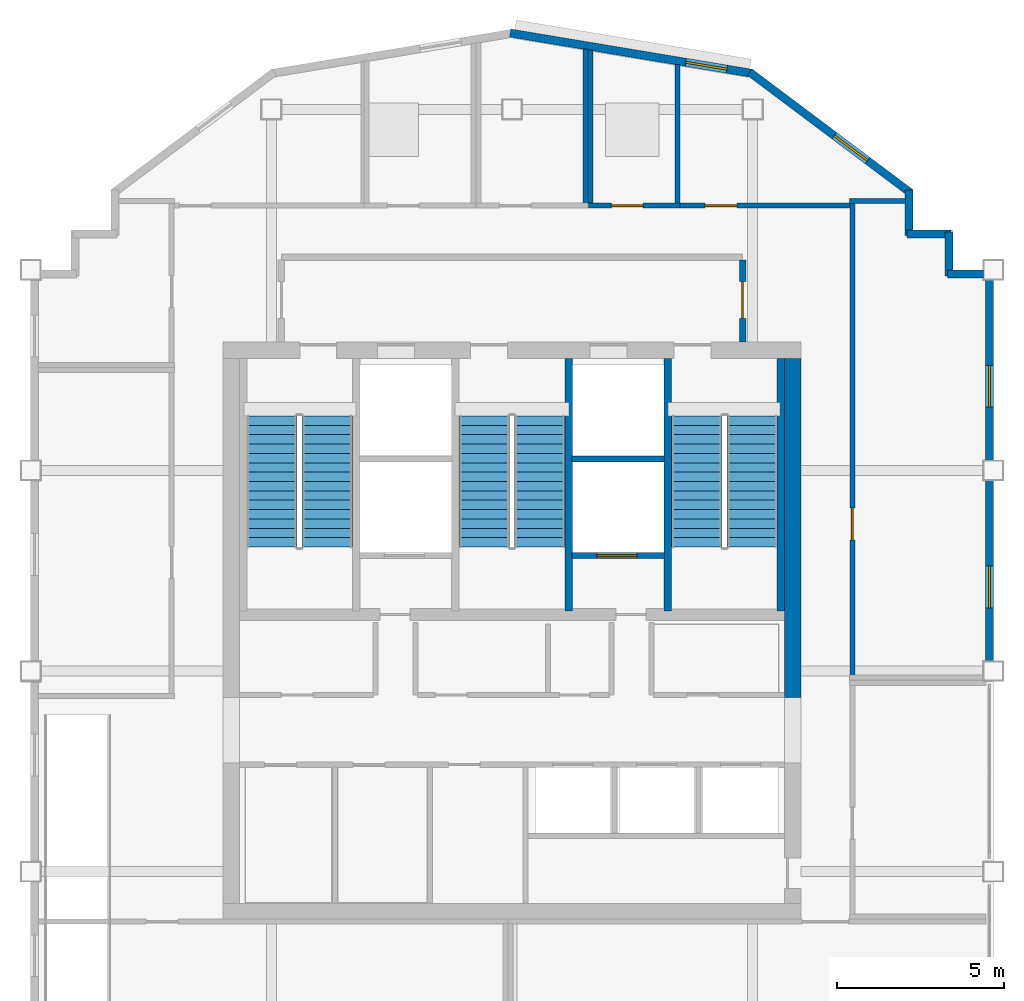
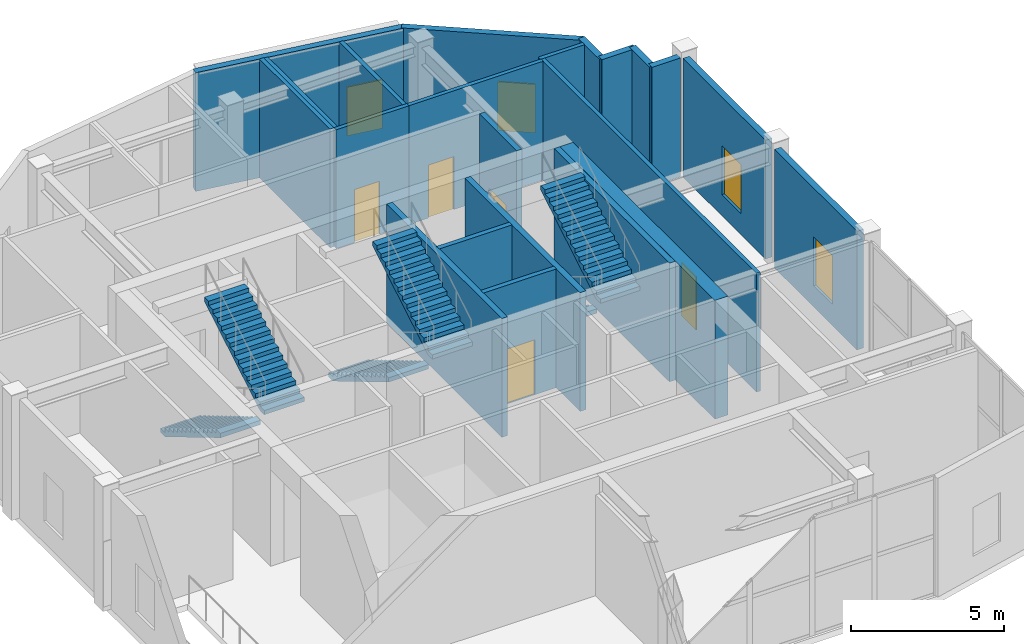
# One storey, part 9 of 11: 22 walls, 6 stair flights, 5 doors, 4 windows, 9 openings, 3 elements without a shape of their own.
"""IFC4 building model written with IfcOpenShell, lengths in metres."""

from ifc_helpers import new_model, si_unit, direction, frame, frame_2d, origin, place, context, subcontext, project, spatial, polyline, rectangle, outline, extrude, material, layer, layer_set, type_object, element, fill, aggregate, save


model = new_model("IFC4")

# Units and contexts
model_context = context("Model", 3, precision=1e-05, world=origin(), true_north=direction((0.0, 1.0)))
body_context = subcontext(model_context, "Body", "Model", "MODEL_VIEW")
ifc_project = project(units=[si_unit("LENGTHUNIT", "METRE"), si_unit("AREAUNIT", "SQUARE_METRE"), si_unit("VOLUMEUNIT", "CUBIC_METRE"), si_unit("PLANEANGLEUNIT", "RADIAN"), si_unit("MASSUNIT", "GRAM", prefix="KILO")], contexts=[model_context])

# Site, building, storey
site_placement = place(None, origin())
site = spatial("IfcSite", under=ifc_project, at=site_placement, CompositionType="ELEMENT")
building_placement = place(site_placement, origin())
building = spatial("IfcBuilding", under=site, at=building_placement, Name="Haolan Belvedere Tower", CompositionType="ELEMENT")
storey_placement = place(building_placement, frame((0.0, 0.0, 323.199951171875)))
storey = spatial("IfcBuildingStorey", under=building, at=storey_placement, Name="L81", CompositionType="ELEMENT", Elevation=323.199951171875)

# Wall
ifc_material_1 = material(Name="Concrete C50/60", Category="concrete")
ifc_layer_1 = layer(ifc_material_1, 0.5, Name="Concrete C50/60")
ifc_layer_set_1 = layer_set([ifc_layer_1], Name="Concrete C50/60")
wall_type_1 = type_object("IfcWallType", Name="WL-CORE-500", PredefinedType="SHEAR", material=ifc_layer_set_1)
wall_1_placement = place(storey_placement, frame((46.800048828125, 32.800048828125, 0.0), z_axis=(0.0, 0.0, 1.0), x_axis=(0.0, 1.0, 0.0)))
element("IfcWall", 1, at=wall_1_placement, inside=storey, type_object=wall_type_1, Name="L81 central core shear wall EN", PredefinedType="SHEAR", context=body_context, shape_type="SweptSolid", body=[
    extrude(rectangle(XDim=10.14990234375, YDim=0.5, at=frame_2d((5.074951171875, 0.0))), origin(), (0.0, 0.0, 1.0), 4.75),
])

# Wall, opening, window
ifc_material_2 = material(Name="Precast concrete C40/50", Category="concrete")
ifc_layer_2 = layer(ifc_material_2, 0.239990234375, Name="Precast concrete C40/50")
ifc_layer_set_2 = layer_set([ifc_layer_2], Name="Precast concrete C40/50")
wall_type_2 = type_object("IfcWallType", Name="WL-EXT-240", PredefinedType="SOLIDWALL", material=ifc_layer_set_2)
wall_2_placement = place(storey_placement, frame((52.679931640625, 33.89208984375, 0.0), z_axis=(0.0, 0.0, 1.0), x_axis=(0.0, 1.0, 0.0)))
wall_2 = element("IfcWall", 2, at=wall_2_placement, inside=storey, type_object=wall_type_2, Name="L81 pale-metal exterior spandrel wall 3.3", PredefinedType="SOLIDWALL", context=body_context, shape_type="SweptSolid", body=[
    extrude(rectangle(XDim=5.416015625, YDim=0.239990234375, at=frame_2d((2.7080078125, 0.0))), origin(), (0.0, 0.0, 1.0), 4.75),
])
opening_1_placement = place(wall_2_placement, frame((1.60009765625, 0.0, 0.85009765625)))
opening_1 = element("IfcOpeningElement", 3, at=opening_1_placement, cuts=wall_2, Name="Opening W-04", PredefinedType="OPENING", context=body_context, shape_type="SweptSolid", body=[
    extrude(rectangle(XDim=1.25, YDim=1.949951171875, at=frame_2d((0.625, 0.97509765625))), frame((0.0, 0.1298828125, 0.0), z_axis=(0.0, -1.0, 0.0), x_axis=(1.0, 0.0, 0.0)), (0.0, 0.0, 1.0), 0.260009765625),
])
ifc_material_3 = material(Name="Anodised aluminium 6063-T6 and Low-E glass", Category="aluminium")
window_type = type_object("IfcWindowType", Name="WN-DECO-Z4", PartitioningType="SINGLE_PANEL", PredefinedType="WINDOW", material=ifc_material_3)
window_1_placement = place(opening_1_placement, origin())
window_1 = element("IfcWindow", 4, at=window_1_placement, inside=storey, type_object=window_type, Name="L81 Art Deco chevron window 1", OverallHeight=1.949951171875, OverallWidth=1.25, PartitioningType="SINGLE_PANEL", PredefinedType="WINDOW", context=body_context, shape_type="SweptSolid", body=[
    extrude(rectangle(XDim=1.25, YDim=1.949951171875, at=frame_2d((0.625, 0.97509765625))), frame((0.0, 0.030029296875, 0.0), z_axis=(0.0, -1.0, 0.0), x_axis=(1.0, 0.0, 0.0)), (0.0, 0.0, 1.0), 0.06005859375),
])
fill(opening_1, window_1)

wall_3_placement = place(storey_placement, frame((52.679931640625, 39.89208984375, 0.0), z_axis=(0.0, 0.0, 1.0), x_axis=(0.0, 1.0, 0.0)))
wall_3 = element("IfcWall", 5, at=wall_3_placement, inside=storey, type_object=wall_type_2, Name="L81 pale-metal exterior spandrel wall 3.4", PredefinedType="SOLIDWALL", context=body_context, shape_type="SweptSolid", body=[
    extrude(rectangle(XDim=5.416015625, YDim=0.239990234375, at=frame_2d((2.7080078125, 0.0))), origin(), (0.0, 0.0, 1.0), 4.75),
])
opening_2_placement = place(wall_3_placement, frame((1.60009765625, 0.0, 0.85009765625)))
opening_2 = element("IfcOpeningElement", 6, at=opening_2_placement, cuts=wall_3, Name="Opening W-04", PredefinedType="OPENING", context=body_context, shape_type="SweptSolid", body=[
    extrude(rectangle(XDim=1.25, YDim=1.949951171875, at=frame_2d((0.625, 0.97509765625))), frame((0.0, 0.1298828125, 0.0), z_axis=(0.0, -1.0, 0.0), x_axis=(1.0, 0.0, 0.0)), (0.0, 0.0, 1.0), 0.260009765625),
])
window_2_placement = place(opening_2_placement, origin())
window_2 = element("IfcWindow", 7, at=window_2_placement, inside=storey, type_object=window_type, Name="L81 Art Deco chevron window 1", OverallHeight=1.949951171875, OverallWidth=1.25, PartitioningType="SINGLE_PANEL", PredefinedType="WINDOW", context=body_context, shape_type="SweptSolid", body=[
    extrude(rectangle(XDim=1.25, YDim=1.949951171875, at=frame_2d((0.625, 0.97509765625))), frame((0.0, 0.030029296875, 0.0), z_axis=(0.0, -1.0, 0.0), x_axis=(1.0, 0.0, 0.0)), (0.0, 0.0, 1.0), 0.06005859375),
])
fill(opening_2, window_2)

# Walls
wall_4_placement = place(storey_placement, frame((52.508056640625, 45.47998046875, 0.0), z_axis=(0.0, 0.0, 1.0), x_axis=(-1.0, 0.0, 0.0)))
element("IfcWall", 8, at=wall_4_placement, inside=storey, type_object=wall_type_2, Name="L81 pale-metal exterior spandrel wall 4.1", PredefinedType="SOLIDWALL", context=body_context, shape_type="SweptSolid", body=[
    extrude(rectangle(XDim=1.0830078125, YDim=0.239990234375, at=frame_2d((0.54150390625, 0.0))), origin(), (0.0, 0.0, 1.0), 4.75),
])
wall_5_placement = place(storey_placement, frame((51.47998046875, 45.425048828125, 0.0), z_axis=(0.0, 0.0, 1.0), x_axis=(0.0, 1.0, 0.0)))
element("IfcWall", 9, at=wall_5_placement, inside=storey, type_object=wall_type_2, Name="L81 pale-metal exterior spandrel wall 5.1", PredefinedType="SOLIDWALL", context=body_context, shape_type="SweptSolid", body=[
    extrude(rectangle(XDim=1.31005859375, YDim=0.239990234375, at=frame_2d((0.655029296875, 0.0))), origin(), (0.0, 0.0, 1.0), 4.75),
])
wall_6_placement = place(storey_placement, frame((51.534912109375, 46.679931640625, 0.0), z_axis=(0.0, 0.0, 1.0), x_axis=(-1.0, 0.0, 0.0)))
element("IfcWall", 10, at=wall_6_placement, inside=storey, type_object=wall_type_2, Name="L81 pale-metal exterior spandrel wall 6.1", PredefinedType="SOLIDWALL", context=body_context, shape_type="SweptSolid", body=[
    extrude(rectangle(XDim=1.309814453125, YDim=0.239990234375, at=frame_2d((0.65478515625, 0.0))), origin(), (0.0, 0.0, 1.0), 4.75),
])
wall_7_placement = place(storey_placement, frame((50.280029296875, 46.625, 0.0), z_axis=(0.0, 0.0, 1.0), x_axis=(0.0, 1.0, 0.0)))
element("IfcWall", 11, at=wall_7_placement, inside=storey, type_object=wall_type_2, Name="L81 pale-metal exterior spandrel wall 7.1", PredefinedType="SOLIDWALL", context=body_context, shape_type="SweptSolid", body=[
    extrude(rectangle(XDim=1.3701171875, YDim=0.239990234375, at=frame_2d((0.68505859375, 0.0))), origin(), (0.0, 0.0, 1.0), 4.75),
])

# Wall, opening, window
wall_8_placement = place(storey_placement, frame((50.323974609375, 47.906982421875, 0.0), z_axis=(0.0, 0.0, 1.0), x_axis=(-0.80001459783, 0.599980535734, 0.0)))
wall_8 = element("IfcWall", 12, at=wall_8_placement, inside=storey, type_object=wall_type_2, Name="L81 pale-metal exterior spandrel wall 8.1", PredefinedType="SOLIDWALL", context=body_context, shape_type="SweptSolid", body=[
    extrude(rectangle(XDim=6.020751953125, YDim=0.239990234375, at=frame_2d((3.01025390625, 0.0))), origin(), (0.0, 0.0, 1.0), 4.75),
])
opening_3_placement = place(wall_8_placement, frame((1.60009765625, 0.0, 0.85009765625)))
opening_3 = element("IfcOpeningElement", 13, at=opening_3_placement, cuts=wall_8, Name="Opening W-04", PredefinedType="OPENING", context=body_context, shape_type="SweptSolid", body=[
    extrude(rectangle(XDim=1.25, YDim=1.949951171875, at=frame_2d((0.625, 0.97509765625))), frame((0.0, 0.1298828125, 0.0), z_axis=(0.0, -1.0, 0.0), x_axis=(1.0, 0.0, 0.0)), (0.0, 0.0, 1.0), 0.260009765625),
])
window_3_placement = place(opening_3_placement, origin())
window_3 = element("IfcWindow", 14, at=window_3_placement, inside=storey, type_object=window_type, Name="L81 Art Deco chevron window 1", OverallHeight=1.949951171875, OverallWidth=1.25, PartitioningType="SINGLE_PANEL", PredefinedType="WINDOW", context=body_context, shape_type="SweptSolid", body=[
    extrude(rectangle(XDim=1.25, YDim=1.949951171875, at=frame_2d((0.625, 0.97509765625))), frame((0.0, 0.030029296875, 0.0), z_axis=(0.0, -1.0, 0.0), x_axis=(1.0, 0.0, 0.0)), (0.0, 0.0, 1.0), 0.06005859375),
])
fill(opening_3, window_3)

wall_9_placement = place(storey_placement, frame((45.605712890625, 51.477294921875, 0.0), z_axis=(0.0, 0.0, 1.0), x_axis=(-0.986394820321, 0.164393608283, 0.0)))
wall_9 = element("IfcWall", 15, at=wall_9_placement, inside=storey, type_object=wall_type_2, Name="L81 pale-metal exterior spandrel wall 9.1", PredefinedType="SOLIDWALL", context=body_context, shape_type="SweptSolid", body=[
    extrude(rectangle(XDim=7.360107421875, YDim=0.239990234375, at=frame_2d((3.68017578125, 0.0))), origin(), (0.0, 0.0, 1.0), 4.75),
])
opening_4_placement = place(wall_9_placement, frame((0.7841796875, 0.0, 0.85009765625)))
opening_4 = element("IfcOpeningElement", 16, at=opening_4_placement, cuts=wall_9, Name="Opening W-04", PredefinedType="OPENING", context=body_context, shape_type="SweptSolid", body=[
    extrude(rectangle(XDim=1.25, YDim=1.949951171875, at=frame_2d((0.625, 0.97509765625))), frame((0.0, 0.1298828125, 0.0), z_axis=(0.0, -1.0, 0.0), x_axis=(1.0, 0.0, 0.0)), (0.0, 0.0, 1.0), 0.260009765625),
])
window_4_placement = place(opening_4_placement, origin())
window_4 = element("IfcWindow", 17, at=window_4_placement, inside=storey, type_object=window_type, Name="L81 Art Deco chevron window 1", OverallHeight=1.949951171875, OverallWidth=1.25, PartitioningType="SINGLE_PANEL", PredefinedType="WINDOW", context=body_context, shape_type="SweptSolid", body=[
    extrude(rectangle(XDim=1.25, YDim=1.949951171875, at=frame_2d((0.625, 0.97509765625))), frame((0.0, 0.030029296875, 0.0), z_axis=(0.0, -1.0, 0.0), x_axis=(1.0, 0.0, 0.0)), (0.0, 0.0, 1.0), 0.06005859375),
])
fill(opening_4, window_4)

# Wall, opening, door
ifc_material_4 = material(Name="Concrete C40/50", Category="concrete")
ifc_layer_3 = layer(ifc_material_4, 0.199951171875, Name="Concrete C40/50")
ifc_layer_set_3 = layer_set([ifc_layer_3], Name="Concrete C40/50")
wall_type_3 = type_object("IfcWallType", Name="WL-FIRE-200", PredefinedType="SOLIDWALL", material=ifc_layer_set_3)
wall_10_placement = place(storey_placement, frame((45.300048828125, 43.449951171875, 0.0), z_axis=(0.0, 0.0, 1.0), x_axis=(0.0, 1.0, 0.0)))
wall_10 = element("IfcWall", 18, at=wall_10_placement, inside=storey, type_object=wall_type_3, Name="L81 interior partition IW-L81-FFL-E", PredefinedType="SOLIDWALL", context=body_context, shape_type="SweptSolid", body=[
    extrude(rectangle(XDim=2.445068359375, YDim=0.199951171875, at=frame_2d((1.22265625, 0.0))), origin(), (0.0, 0.0, 1.0), 4.75),
])
opening_5_placement = place(wall_10_placement, frame((0.699951171875, 0.0, 0.0)))
opening_5 = element("IfcOpeningElement", 19, at=opening_5_placement, cuts=wall_10, Name="Opening FD-03", PredefinedType="OPENING", context=body_context, shape_type="SweptSolid", body=[
    extrude(rectangle(XDim=1.10009765625, YDim=2.14990234375, at=frame_2d((0.550048828125, 1.074951171875))), frame((0.0, 0.10986328125, 0.0), z_axis=(0.0, -1.0, 0.0), x_axis=(1.0, 0.0, 0.0)), (0.0, 0.0, 1.0), 0.219970703125),
])
ifc_material_5 = material(Name="Galvanised fire-rated steel", Category="steel")
door_type_1 = type_object("IfcDoorType", Name="DR-FD90-1100", OperationType="NOTDEFINED", PredefinedType="DOOR", material=ifc_material_5)
door_1_placement = place(opening_5_placement, origin())
door_1 = element("IfcDoor", 20, at=door_1_placement, inside=storey, type_object=door_type_1, Name="L81 door ID-L81-FFL-DE", OperationType="SINGLE_SWING_RIGHT", OverallHeight=2.14990234375, OverallWidth=1.10009765625, PredefinedType="DOOR", context=body_context, shape_type="SweptSolid", body=[
    extrude(rectangle(XDim=1.10009765625, YDim=2.14990234375, at=frame_2d((0.550048828125, 1.074951171875))), frame((0.0, 0.02490234375, 0.0), z_axis=(0.0, -1.0, 0.0), x_axis=(1.0, 0.0, 0.0)), (0.0, 0.0, 1.0), 0.050048828125),
])
fill(opening_5, door_1)

# Wall
ifc_material_6 = material(Name="Double gypsum acoustic stud partition", Category="masonry")
ifc_layer_4 = layer(ifc_material_6, 0.14990234375, Name="Double gypsum acoustic stud partition")
ifc_layer_set_4 = layer_set([ifc_layer_4], Name="Double gypsum acoustic stud partition")
wall_type_4 = type_object("IfcWallType", Name="WL-PART-150", PredefinedType="PARTITIONING", material=ifc_layer_set_4)
wall_11_placement = place(storey_placement, frame((40.60009765625, 47.580078125, 0.0), z_axis=(0.0, 0.0, 1.0), x_axis=(0.0, 1.0, 0.0)))
element("IfcWall", 21, at=wall_11_placement, inside=storey, type_object=wall_type_4, Name="L81 interior partition IW-L81-WCF-E", PredefinedType="PARTITIONING", context=body_context, shape_type="SweptSolid", body=[
    extrude(rectangle(XDim=4.625, YDim=0.14990234375, at=frame_2d((2.3125, 0.0))), origin(), (0.0, 0.0, 1.0), 4.75),
])

# Wall, opening, door
wall_12_placement = place(storey_placement, frame((40.681884765625, 47.52001953125, 0.0), z_axis=(0.0, 0.0, 1.0), x_axis=(1.0, 0.0, 0.0)))
wall_12 = element("IfcWall", 22, at=wall_12_placement, inside=storey, type_object=wall_type_4, Name="L81 interior partition IW-L81-WCA-S", PredefinedType="PARTITIONING", context=body_context, shape_type="SweptSolid", body=[
    extrude(rectangle(XDim=2.748046875, YDim=0.14990234375, at=frame_2d((1.3740234375, 0.0))), origin(), (0.0, 0.0, 1.0), 4.75),
])
opening_6_placement = place(wall_12_placement, frame((0.68798828125, 0.0, 0.0)))
opening_6 = element("IfcOpeningElement", 23, at=opening_6_placement, cuts=wall_12, Name="Opening ID-03", PredefinedType="OPENING", context=body_context, shape_type="SweptSolid", body=[
    extrude(rectangle(XDim=0.949951171875, YDim=2.1201171875, at=frame_2d((0.47509765625, 1.06005859375))), frame((0.0, 0.0849609375, 0.0), z_axis=(0.0, -1.0, 0.0), x_axis=(1.0, 0.0, 0.0)), (0.0, 0.0, 1.0), 0.169921875),
])
ifc_material_7 = material(Name="Painted solid-core timber", Category="wood")
door_type_2 = type_object("IfcDoorType", Name="DR-INT-950", OperationType="NOTDEFINED", PredefinedType="DOOR", material=ifc_material_7)
door_2_placement = place(opening_6_placement, origin())
door_2 = element("IfcDoor", 24, at=door_2_placement, inside=storey, type_object=door_type_2, Name="L81 door ID-L81-WCA", OperationType="SINGLE_SWING_LEFT", OverallHeight=2.1201171875, OverallWidth=0.949951171875, PredefinedType="DOOR", context=body_context, shape_type="SweptSolid", body=[
    extrude(rectangle(XDim=0.949951171875, YDim=2.1201171875, at=frame_2d((0.47509765625, 1.06005859375))), frame((0.0, 0.02490234375, 0.0), z_axis=(0.0, -1.0, 0.0), x_axis=(1.0, 0.0, 0.0)), (0.0, 0.0, 1.0), 0.050048828125),
])
fill(opening_6, door_2)

# Walls
wall_13_placement = place(storey_placement, frame((40.75, 47.580078125, 0.0), z_axis=(0.0, 0.0, 1.0), x_axis=(0.0, 1.0, 0.0)))
element("IfcWall", 25, at=wall_13_placement, inside=storey, type_object=wall_type_4, Name="L81 interior partition IW-L81-WCA-W", PredefinedType="PARTITIONING", context=body_context, shape_type="SweptSolid", body=[
    extrude(rectangle(XDim=4.60009765625, YDim=0.14990234375, at=frame_2d((2.300048828125, 0.0))), origin(), (0.0, 0.0, 1.0), 4.75),
])
wall_14_placement = place(storey_placement, frame((43.35009765625, 47.580078125, 0.0), z_axis=(0.0, 0.0, 1.0), x_axis=(0.0, 1.0, 0.0)))
element("IfcWall", 26, at=wall_14_placement, inside=storey, type_object=wall_type_4, Name="L81 interior partition IW-L81-WCA-E", PredefinedType="PARTITIONING", context=body_context, shape_type="SweptSolid", body=[
    extrude(rectangle(XDim=4.166748046875, YDim=0.14990234375, at=frame_2d((2.08349609375, 0.0))), origin(), (0.0, 0.0, 1.0), 4.75),
])
wall_15_placement = place(storey_placement, frame((48.5, 47.659912109375, 0.0), z_axis=(0.0, 0.0, 1.0), x_axis=(1.0, 0.0, 0.0)))
element("IfcWall", 27, at=wall_15_placement, inside=storey, type_object=wall_type_4, Name="L81 interior partition IW-L81-VIPL-N", PredefinedType="PARTITIONING", context=body_context, shape_type="SweptSolid", body=[
    extrude(rectangle(XDim=1.675048828125, YDim=0.14990234375, at=frame_2d((0.83740234375, 0.0))), origin(), (0.0, 0.0, 1.0), 4.75),
])

# Wall, opening, door
wall_16_placement = place(storey_placement, frame((48.580078125, 33.4599609375, 0.0), z_axis=(0.0, 0.0, 1.0), x_axis=(0.0, 1.0, 0.0)))
wall_16 = element("IfcWall", 28, at=wall_16_placement, inside=storey, type_object=wall_type_4, Name="L81 interior partition IW-L81-VIPL-W", PredefinedType="PARTITIONING", context=body_context, shape_type="SweptSolid", body=[
    extrude(rectangle(XDim=14.14013671875, YDim=0.14990234375, at=frame_2d((7.070068359375, 0.0))), origin(), (0.0, 0.0, 1.0), 4.75),
])
opening_7_placement = place(wall_16_placement, frame((4.06005859375, 0.0, 0.0)))
opening_7 = element("IfcOpeningElement", 29, at=opening_7_placement, cuts=wall_16, Name="Opening ID-03", PredefinedType="OPENING", context=body_context, shape_type="SweptSolid", body=[
    extrude(rectangle(XDim=0.949951171875, YDim=2.1201171875, at=frame_2d((0.47509765625, 1.06005859375))), frame((0.0, 0.0849609375, 0.0), z_axis=(0.0, -1.0, 0.0), x_axis=(1.0, 0.0, 0.0)), (0.0, 0.0, 1.0), 0.169921875),
])
door_3_placement = place(opening_7_placement, origin())
door_3 = element("IfcDoor", 30, at=door_3_placement, inside=storey, type_object=door_type_2, Name="L81 door ID-L81-VIPL", OperationType="SINGLE_SWING_RIGHT", OverallHeight=2.1201171875, OverallWidth=0.949951171875, PredefinedType="DOOR", context=body_context, shape_type="SweptSolid", body=[
    extrude(rectangle(XDim=0.949951171875, YDim=2.1201171875, at=frame_2d((0.47509765625, 1.06005859375))), frame((0.0, 0.02490234375, 0.0), z_axis=(0.0, -1.0, 0.0), x_axis=(1.0, 0.0, 0.0)), (0.0, 0.0, 1.0), 0.050048828125),
])
fill(opening_7, door_3)

wall_17_placement = place(storey_placement, frame((43.431884765625, 47.52001953125, 0.0), z_axis=(0.0, 0.0, 1.0), x_axis=(1.0, 0.0, 0.0)))
wall_17 = element("IfcWall", 31, at=wall_17_placement, inside=storey, type_object=wall_type_4, Name="L81 interior partition IW-L81-NELNG-S", PredefinedType="PARTITIONING", context=body_context, shape_type="SweptSolid", body=[
    extrude(rectangle(XDim=5.088134765625, YDim=0.14990234375, at=frame_2d((2.5439453125, 0.0))), origin(), (0.0, 0.0, 1.0), 4.75),
])
opening_8_placement = place(wall_17_placement, frame((0.748046875, 0.0, 0.0)))
opening_8 = element("IfcOpeningElement", 32, at=opening_8_placement, cuts=wall_17, Name="Opening ID-03", PredefinedType="OPENING", context=body_context, shape_type="SweptSolid", body=[
    extrude(rectangle(XDim=0.949951171875, YDim=2.1201171875, at=frame_2d((0.47509765625, 1.06005859375))), frame((0.0, 0.0849609375, 0.0), z_axis=(0.0, -1.0, 0.0), x_axis=(1.0, 0.0, 0.0)), (0.0, 0.0, 1.0), 0.169921875),
])
door_4_placement = place(opening_8_placement, origin())
door_4 = element("IfcDoor", 33, at=door_4_placement, inside=storey, type_object=door_type_2, Name="L81 door ID-L81-NELNG", OperationType="SINGLE_SWING_RIGHT", OverallHeight=2.1201171875, OverallWidth=0.949951171875, PredefinedType="DOOR", context=body_context, shape_type="SweptSolid", body=[
    extrude(rectangle(XDim=0.949951171875, YDim=2.1201171875, at=frame_2d((0.47509765625, 1.06005859375))), frame((0.0, 0.02490234375, 0.0), z_axis=(0.0, -1.0, 0.0), x_axis=(1.0, 0.0, 0.0)), (0.0, 0.0, 1.0), 0.050048828125),
])
fill(opening_8, door_4)

# Wall
ifc_layer_5 = layer(ifc_material_2, 0.179931640625, Name="Precast concrete C40/50")
ifc_layer_set_5 = layer_set([ifc_layer_5], Name="Precast concrete C40/50")
wall_type_5 = type_object("IfcWallType", Name="WL-SHAFT-180", PredefinedType="SOLIDWALL", material=ifc_layer_set_5)
wall_18_placement = place(storey_placement, frame((40.195068359375, 39.949951171875, 0.0), z_axis=(0.0, 0.0, 1.0), x_axis=(1.0, 0.0, 0.0)))
element("IfcWall", 34, at=wall_18_placement, inside=storey, type_object=wall_type_5, Name="L81 interior partition IW-L81-FF2-S", PredefinedType="SOLIDWALL", context=body_context, shape_type="SweptSolid", body=[
    extrude(rectangle(XDim=2.77001953125, YDim=0.179931640625, at=frame_2d((1.385009765625, 0.0))), origin(), (0.0, 0.0, 1.0), 4.75),
])

# Wall, opening, door
wall_19_placement = place(storey_placement, frame((40.195068359375, 37.050048828125, 0.0), z_axis=(0.0, 0.0, 1.0), x_axis=(1.0, 0.0, 0.0)))
wall_19 = element("IfcWall", 35, at=wall_19_placement, inside=storey, type_object=wall_type_5, Name="L81 interior partition IW-L81-SV2-S", PredefinedType="SOLIDWALL", context=body_context, shape_type="SweptSolid", body=[
    extrude(rectangle(XDim=2.77001953125, YDim=0.179931640625, at=frame_2d((1.385009765625, 0.0))), origin(), (0.0, 0.0, 1.0), 4.75),
])
opening_9_placement = place(wall_19_placement, frame((1.945068359375, 0.0, 0.0), z_axis=(0.0, 0.0, 1.0), x_axis=(-1.0, 0.0, 0.0)))
opening_9 = element("IfcOpeningElement", 36, at=opening_9_placement, cuts=wall_19, Name="Opening LD-02", PredefinedType="OPENING", context=body_context, shape_type="SweptSolid", body=[
    extrude(rectangle(XDim=1.199951171875, YDim=2.199951171875, at=frame_2d((0.60009765625, 1.10009765625))), frame((0.0, 0.099853515625, 0.0), z_axis=(0.0, -1.0, 0.0), x_axis=(1.0, 0.0, 0.0)), (0.0, 0.0, 1.0), 0.199951171875),
])
ifc_material_8 = material(Name="Brushed champagne stainless steel 316L", Category="steel")
door_type_3 = type_object("IfcDoorType", Name="DR-LIFT-1200", OperationType="SLIDING_TO_RIGHT", PredefinedType="DOOR", material=ifc_material_8)
door_5_placement = place(opening_9_placement, origin())
door_5 = element("IfcDoor", 37, at=door_5_placement, inside=storey, type_object=door_type_3, Name="L81 door ID-L81-LD-SV2", OperationType="SLIDING_TO_RIGHT", OverallHeight=2.199951171875, OverallWidth=1.199951171875, PredefinedType="DOOR", context=body_context, shape_type="SweptSolid", body=[
    extrude(rectangle(XDim=1.199951171875, YDim=2.199951171875, at=frame_2d((0.60009765625, 1.10009765625))), frame((0.0, 0.02490234375, 0.0), z_axis=(0.0, -1.0, 0.0), x_axis=(1.0, 0.0, 0.0)), (0.0, 0.0, 1.0), 0.050048828125),
])
fill(opening_9, door_5)

# Walls
ifc_layer_6 = layer(ifc_material_1, 0.219970703125, Name="Concrete C50/60")
ifc_layer_set_6 = layer_set([ifc_layer_6], Name="Concrete C50/60")
wall_type_6 = type_object("IfcWallType", Name="WL-STAIR-220", PredefinedType="SHEAR", material=ifc_layer_set_6)
for number, where, z_axis, x_axis, name in (
    (38, (40.10009765625, 35.389892578125, 0.0), (0.0, 0.0, 1.0), (0.0, 1.0, 0.0), "L81 structural stair core wall ST3E"),
    (39, (43.06005859375, 35.389892578125, 0.0), (0.0, 0.0, 1.0), (0.0, 1.0, 0.0), "L81 structural stair core wall ST2W"),
    (40, (46.43798828125, 35.389892578125, 0.0), (0.0, 0.0, 1.0), (0.0, 1.0, 0.0), "L81 structural stair core wall ST2E"),
):
    element("IfcWall", number, at=place(storey_placement, frame(where, z_axis=z_axis, x_axis=x_axis)), inside=storey, type_object=wall_type_6, Name=name, PredefinedType="SHEAR", context=body_context, shape_type="SweptSolid", body=[
        extrude(rectangle(XDim=7.56005859375, YDim=0.219970703125, at=frame_2d((3.780029296875, 0.0))), origin(), (0.0, 0.0, 1.0), 4.75),
    ])

# Stair, stair flights
stair_type = type_object("IfcStairType", Name="STR-DL-30R-167", PredefinedType="HALF_TURN_STAIR", material=ifc_material_4)
stair_1_placement = place(storey_placement, origin())
stair_1 = element("IfcStair", 41, at=stair_1_placement, inside=storey, type_object=stair_type, Name="L81 Smokeproof Core Exit Stair ST1", PredefinedType="HALF_TURN_STAIR")
stair_flight_type = type_object("IfcStairFlightType", Name="SFL-DL-15R-167", PredefinedType="STRAIGHT", material=ifc_material_4)
stair_flight_1_placement = place(storey_placement, frame((31.2099609375, 41.22998046875, 0.0), z_axis=(0.0, 0.0, 1.0), x_axis=(0.0, -1.0, 0.0)))
stair_flight_1 = element("IfcStairFlight", 42, at=stair_flight_1_placement, type_object=stair_flight_type, Name="ST1 flight 1", NumberOfRisers=15, NumberOfTreads=14, PredefinedType="STRAIGHT", RiserHeight=0.166666667, TreadLength=0.28, context=body_context, shape_type="SweptSolid", body=[
    extrude(outline(polyline([(0.0, 0.0), (0.0, 0.166748046875), (0.280029296875, 0.166748046875), (0.280029296875, 0.333251953125), (0.56005859375, 0.333251953125), (0.56005859375, 0.5), (0.840087890625, 0.5), (0.840087890625, 0.666748046875), (1.1201171875, 0.666748046875), (1.1201171875, 0.833251953125), (1.39990234375, 0.833251953125), (1.39990234375, 1.0), (1.679931640625, 1.0), (1.679931640625, 1.166748046875), (1.9599609375, 1.166748046875), (1.9599609375, 1.333251953125), (2.239990234375, 1.333251953125), (2.239990234375, 1.5), (2.52001953125, 1.5), (2.52001953125, 1.666748046875), (2.800048828125, 1.666748046875), (2.800048828125, 1.833251953125), (3.080078125, 1.833251953125), (3.080078125, 2.0), (3.360107421875, 2.0), (3.360107421875, 2.166748046875), (3.639892578125, 2.166748046875), (3.639892578125, 2.333251953125), (3.919921875, 2.333251953125), (3.919921875, 2.5), (3.919921875, 2.158935546875), (0.29296875, 0.0), (0.0, 0.0)])), frame((0.0, 0.760009765625, 0.0), z_axis=(0.0, -1.0, 0.0), x_axis=(1.0, 0.0, 0.0)), (0.0, 0.0, 1.0), 1.52001953125),
])
stair_flight_2_placement = place(storey_placement, frame((32.8701171875, 37.31005859375, 2.5), z_axis=(0.0, 0.0, 1.0), x_axis=(0.0, 1.0, 0.0)))
stair_flight_2 = element("IfcStairFlight", 43, at=stair_flight_2_placement, type_object=stair_flight_type, Name="ST1 flight 2", NumberOfRisers=15, NumberOfTreads=14, PredefinedType="STRAIGHT", RiserHeight=0.166666667, TreadLength=0.28, context=body_context, shape_type="SweptSolid", body=[
    extrude(outline(polyline([(0.0, 0.0), (0.0, 0.166748046875), (0.280029296875, 0.166748046875), (0.280029296875, 0.333251953125), (0.56005859375, 0.333251953125), (0.56005859375, 0.5), (0.840087890625, 0.5), (0.840087890625, 0.666748046875), (1.1201171875, 0.666748046875), (1.1201171875, 0.833251953125), (1.39990234375, 0.833251953125), (1.39990234375, 1.0), (1.679931640625, 1.0), (1.679931640625, 1.166748046875), (1.9599609375, 1.166748046875), (1.9599609375, 1.333251953125), (2.239990234375, 1.333251953125), (2.239990234375, 1.5), (2.52001953125, 1.5), (2.52001953125, 1.666748046875), (2.800048828125, 1.666748046875), (2.800048828125, 1.833251953125), (3.080078125, 1.833251953125), (3.080078125, 2.0), (3.360107421875, 2.0), (3.360107421875, 2.166748046875), (3.639892578125, 2.166748046875), (3.639892578125, 2.333251953125), (3.919921875, 2.333251953125), (3.919921875, 2.5), (3.919921875, 2.158935546875), (0.29296875, 0.0), (0.0, 0.0)])), frame((0.0, 0.760009765625, 0.0), z_axis=(0.0, -1.0, 0.0), x_axis=(1.0, 0.0, 0.0)), (0.0, 0.0, 1.0), 1.52001953125),
])
aggregate(stair_1, [stair_flight_1, stair_flight_2])

stair_2_placement = place(storey_placement, origin())
stair_2 = element("IfcStair", 44, at=stair_2_placement, inside=storey, type_object=stair_type, Name="L81 Smokeproof Core Exit Stair ST3", PredefinedType="HALF_TURN_STAIR")
stair_flight_3_placement = place(storey_placement, frame((37.570068359375, 41.22998046875, 0.0), z_axis=(0.0, 0.0, 1.0), x_axis=(0.0, -1.0, 0.0)))
stair_flight_3 = element("IfcStairFlight", 45, at=stair_flight_3_placement, type_object=stair_flight_type, Name="ST3 flight 1", NumberOfRisers=15, NumberOfTreads=14, PredefinedType="STRAIGHT", RiserHeight=0.166666667, TreadLength=0.28, context=body_context, shape_type="SweptSolid", body=[
    extrude(outline(polyline([(0.0, 0.0), (0.0, 0.166748046875), (0.280029296875, 0.166748046875), (0.280029296875, 0.333251953125), (0.56005859375, 0.333251953125), (0.56005859375, 0.5), (0.840087890625, 0.5), (0.840087890625, 0.666748046875), (1.1201171875, 0.666748046875), (1.1201171875, 0.833251953125), (1.39990234375, 0.833251953125), (1.39990234375, 1.0), (1.679931640625, 1.0), (1.679931640625, 1.166748046875), (1.9599609375, 1.166748046875), (1.9599609375, 1.333251953125), (2.239990234375, 1.333251953125), (2.239990234375, 1.5), (2.52001953125, 1.5), (2.52001953125, 1.666748046875), (2.800048828125, 1.666748046875), (2.800048828125, 1.833251953125), (3.080078125, 1.833251953125), (3.080078125, 2.0), (3.360107421875, 2.0), (3.360107421875, 2.166748046875), (3.639892578125, 2.166748046875), (3.639892578125, 2.333251953125), (3.919921875, 2.333251953125), (3.919921875, 2.5), (3.919921875, 2.158935546875), (0.29296875, 0.0), (0.0, 0.0)])), frame((0.0, 0.760009765625, 0.0), z_axis=(0.0, -1.0, 0.0), x_axis=(1.0, 0.0, 0.0)), (0.0, 0.0, 1.0), 1.52001953125),
])
stair_flight_4_placement = place(storey_placement, frame((39.22998046875, 37.31005859375, 2.5), z_axis=(0.0, 0.0, 1.0), x_axis=(0.0, 1.0, 0.0)))
stair_flight_4 = element("IfcStairFlight", 46, at=stair_flight_4_placement, type_object=stair_flight_type, Name="ST3 flight 2", NumberOfRisers=15, NumberOfTreads=14, PredefinedType="STRAIGHT", RiserHeight=0.166666667, TreadLength=0.28, context=body_context, shape_type="SweptSolid", body=[
    extrude(outline(polyline([(0.0, 0.0), (0.0, 0.166748046875), (0.280029296875, 0.166748046875), (0.280029296875, 0.333251953125), (0.56005859375, 0.333251953125), (0.56005859375, 0.5), (0.840087890625, 0.5), (0.840087890625, 0.666748046875), (1.1201171875, 0.666748046875), (1.1201171875, 0.833251953125), (1.39990234375, 0.833251953125), (1.39990234375, 1.0), (1.679931640625, 1.0), (1.679931640625, 1.166748046875), (1.9599609375, 1.166748046875), (1.9599609375, 1.333251953125), (2.239990234375, 1.333251953125), (2.239990234375, 1.5), (2.52001953125, 1.5), (2.52001953125, 1.666748046875), (2.800048828125, 1.666748046875), (2.800048828125, 1.833251953125), (3.080078125, 1.833251953125), (3.080078125, 2.0), (3.360107421875, 2.0), (3.360107421875, 2.166748046875), (3.639892578125, 2.166748046875), (3.639892578125, 2.333251953125), (3.919921875, 2.333251953125), (3.919921875, 2.5), (3.919921875, 2.158935546875), (0.29296875, 0.0), (0.0, 0.0)])), frame((0.0, 0.760009765625, 0.0), z_axis=(0.0, -1.0, 0.0), x_axis=(1.0, 0.0, 0.0)), (0.0, 0.0, 1.0), 1.52001953125),
])
aggregate(stair_2, [stair_flight_3, stair_flight_4])

stair_3_placement = place(storey_placement, origin())
stair_3 = element("IfcStair", 47, at=stair_3_placement, inside=storey, type_object=stair_type, Name="L81 Smokeproof Core Exit Stair ST2", PredefinedType="HALF_TURN_STAIR")
stair_flight_5_placement = place(storey_placement, frame((43.929931640625, 41.22998046875, 0.0), z_axis=(0.0, 0.0, 1.0), x_axis=(0.0, -1.0, 0.0)))
stair_flight_5 = element("IfcStairFlight", 48, at=stair_flight_5_placement, type_object=stair_flight_type, Name="ST2 flight 1", NumberOfRisers=15, NumberOfTreads=14, PredefinedType="STRAIGHT", RiserHeight=0.166666667, TreadLength=0.28, context=body_context, shape_type="SweptSolid", body=[
    extrude(outline(polyline([(0.0, 0.0), (0.0, 0.166748046875), (0.280029296875, 0.166748046875), (0.280029296875, 0.333251953125), (0.56005859375, 0.333251953125), (0.56005859375, 0.5), (0.840087890625, 0.5), (0.840087890625, 0.666748046875), (1.1201171875, 0.666748046875), (1.1201171875, 0.833251953125), (1.39990234375, 0.833251953125), (1.39990234375, 1.0), (1.679931640625, 1.0), (1.679931640625, 1.166748046875), (1.9599609375, 1.166748046875), (1.9599609375, 1.333251953125), (2.239990234375, 1.333251953125), (2.239990234375, 1.5), (2.52001953125, 1.5), (2.52001953125, 1.666748046875), (2.800048828125, 1.666748046875), (2.800048828125, 1.833251953125), (3.080078125, 1.833251953125), (3.080078125, 2.0), (3.360107421875, 2.0), (3.360107421875, 2.166748046875), (3.639892578125, 2.166748046875), (3.639892578125, 2.333251953125), (3.919921875, 2.333251953125), (3.919921875, 2.5), (3.919921875, 2.158935546875), (0.29296875, 0.0), (0.0, 0.0)])), frame((0.0, 0.760009765625, 0.0), z_axis=(0.0, -1.0, 0.0), x_axis=(1.0, 0.0, 0.0)), (0.0, 0.0, 1.0), 1.52001953125),
])
stair_flight_6_placement = place(storey_placement, frame((45.590087890625, 37.31005859375, 2.5), z_axis=(0.0, 0.0, 1.0), x_axis=(0.0, 1.0, 0.0)))
stair_flight_6 = element("IfcStairFlight", 49, at=stair_flight_6_placement, type_object=stair_flight_type, Name="ST2 flight 2", NumberOfRisers=15, NumberOfTreads=14, PredefinedType="STRAIGHT", RiserHeight=0.166666667, TreadLength=0.28, context=body_context, shape_type="SweptSolid", body=[
    extrude(outline(polyline([(0.0, 0.0), (0.0, 0.166748046875), (0.280029296875, 0.166748046875), (0.280029296875, 0.333251953125), (0.56005859375, 0.333251953125), (0.56005859375, 0.5), (0.840087890625, 0.5), (0.840087890625, 0.666748046875), (1.1201171875, 0.666748046875), (1.1201171875, 0.833251953125), (1.39990234375, 0.833251953125), (1.39990234375, 1.0), (1.679931640625, 1.0), (1.679931640625, 1.166748046875), (1.9599609375, 1.166748046875), (1.9599609375, 1.333251953125), (2.239990234375, 1.333251953125), (2.239990234375, 1.5), (2.52001953125, 1.5), (2.52001953125, 1.666748046875), (2.800048828125, 1.666748046875), (2.800048828125, 1.833251953125), (3.080078125, 1.833251953125), (3.080078125, 2.0), (3.360107421875, 2.0), (3.360107421875, 2.166748046875), (3.639892578125, 2.166748046875), (3.639892578125, 2.333251953125), (3.919921875, 2.333251953125), (3.919921875, 2.5), (3.919921875, 2.158935546875), (0.29296875, 0.0), (0.0, 0.0)])), frame((0.0, 0.760009765625, 0.0), z_axis=(0.0, -1.0, 0.0), x_axis=(1.0, 0.0, 0.0)), (0.0, 0.0, 1.0), 1.52001953125),
])
aggregate(stair_3, [stair_flight_5, stair_flight_6])

save(model, "model.ifc")
